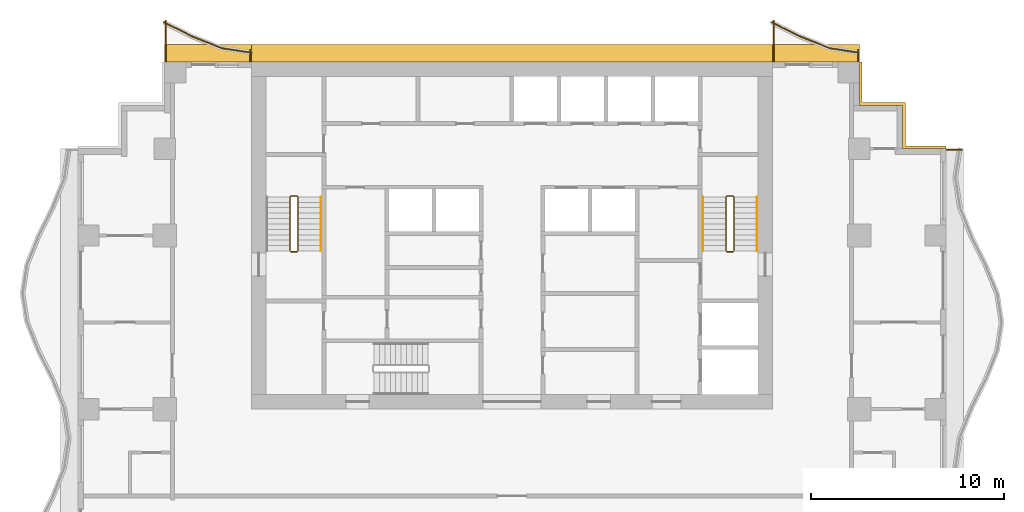
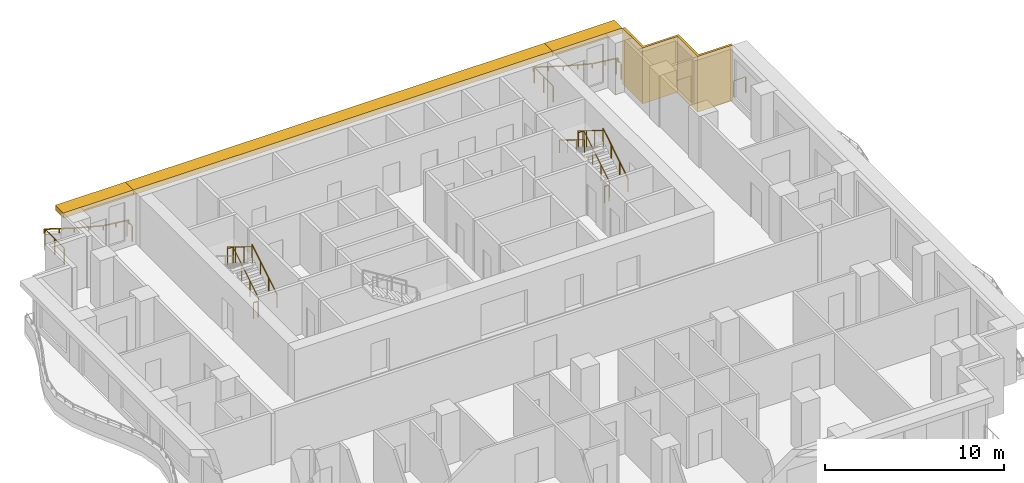
# One storey, part 10 of 10: 14 railings, 4 shading devices.
"""IFC4 building model written with IfcOpenShell, lengths in metres."""

from ifc_helpers import new_model, si_unit, direction, frame, origin, origin_2d, place, context, subcontext, project, spatial, polyline, rectangle, circle, outline, extrude, material, layer, layer_set, type_object, element, save


model = new_model("IFC4")

# Units and contexts
model_context = context("Model", 3, precision=1e-05, world=origin(), true_north=direction((0.0, 1.0)))
body_context = subcontext(model_context, "Body", "Model", "MODEL_VIEW")
ifc_project = project(units=[si_unit("LENGTHUNIT", "METRE"), si_unit("AREAUNIT", "SQUARE_METRE"), si_unit("VOLUMEUNIT", "CUBIC_METRE"), si_unit("PLANEANGLEUNIT", "RADIAN"), si_unit("MASSUNIT", "GRAM", prefix="KILO")], contexts=[model_context])

# Site, building, storey
site_placement = place(None, origin())
site = spatial("IfcSite", under=ifc_project, at=site_placement, CompositionType="ELEMENT")
building_placement = place(site_placement, origin())
building = spatial("IfcBuilding", under=site, at=building_placement, Name="Orbiselva Terraces", CompositionType="ELEMENT")
storey_placement = place(building_placement, frame((0.0, 0.0, 166.8)))
storey = spatial("IfcBuildingStorey", under=building, at=storey_placement, Name="L42", CompositionType="ELEMENT", Elevation=166.8)

# Railings
ifc_material_1 = material(Name="Stainless steel", Category="steel")
railing_type_1 = type_object("IfcRailingType", Name="CORE-GUARD-1100", PredefinedType="GUARDRAIL", material=ifc_material_1)
railing_1_placement = place(storey_placement, frame((-11.1, 12.7, 0.172727)))
element("IfcRailing", 1, at=railing_1_placement, inside=storey, type_object=railing_type_1, Name="L42 S1 stair guard 1", PredefinedType="GUARDRAIL", context=body_context, shape_type="SweptSolid", body=[
    extrude(circle(Radius=0.024, at=origin_2d()), frame((0.0, 0.0, 1.081), z_axis=(0.0, 0.851088519012, 0.52502222125), x_axis=(-1.0, 0.0, 0.0)), (0.0, 0.0, 1.0), 3.289905),
    extrude(circle(Radius=0.024, at=origin_2d()), frame((0.0, 2.8, 2.808273), z_axis=(-0.707106781187, 0.707106781187, 0.0), x_axis=(-0.707106781187, -0.707106781187, 0.0)), (0.0, 0.0, 1.0), 0.070711),
    extrude(circle(Radius=0.024, at=origin_2d()), frame((-0.05, 2.85, 2.808273), z_axis=(-1.0, 0.0, 0.0), x_axis=(0.0, -1.0, 0.0)), (0.0, 0.0, 1.0), 0.3),
    extrude(circle(Radius=0.024, at=origin_2d()), frame((-0.35, 2.85, 2.808273), z_axis=(-0.267894925557, -0.267894925557, 0.925453736133), x_axis=(0.707106781187, -0.707106781187, 0.0)), (0.0, 0.0, 1.0), 0.18664),
    extrude(circle(Radius=0.024, at=origin_2d()), frame((-0.4, 2.8, 2.981), z_axis=(0.0, -0.851088519012, 0.52502222125), x_axis=(1.0, 0.0, 0.0)), (0.0, 0.0, 1.0), 3.289905),
    extrude(circle(Radius=0.021, at=origin_2d()), origin(), (0.0, 0.0, 1.0), 1.057),
    extrude(circle(Radius=0.021, at=origin_2d()), frame((0.0, 0.933333, 0.575758)), (0.0, 0.0, 1.0), 1.057),
    extrude(circle(Radius=0.021, at=origin_2d()), frame((0.0, 1.866667, 1.151515)), (0.0, 0.0, 1.0), 1.057),
    extrude(circle(Radius=0.021, at=origin_2d()), frame((0.0, 2.8, 1.727273)), (0.0, 0.0, 1.0), 1.057),
    extrude(circle(Radius=0.021, at=origin_2d()), frame((-0.05, 2.85, 1.727273)), (0.0, 0.0, 1.0), 1.057),
    extrude(circle(Radius=0.021, at=origin_2d()), frame((-0.35, 2.85, 1.727273)), (0.0, 0.0, 1.0), 1.057),
    extrude(circle(Radius=0.021, at=origin_2d()), frame((-0.4, 2.8, 1.9)), (0.0, 0.0, 1.0), 1.057),
    extrude(circle(Radius=0.021, at=origin_2d()), frame((-0.4, 1.866667, 2.475758)), (0.0, 0.0, 1.0), 1.057),
    extrude(circle(Radius=0.021, at=origin_2d()), frame((-0.4, 0.933333, 3.051515)), (0.0, 0.0, 1.0), 1.057),
    extrude(circle(Radius=0.021, at=origin_2d()), frame((-0.4, 0.0, 3.627273)), (0.0, 0.0, 1.0), 1.057),
])
railing_2_placement = place(storey_placement, frame((-11.15, 12.65, 0.0)))
element("IfcRailing", 2, at=railing_2_placement, inside=storey, type_object=railing_type_1, Name="L42 S1 stair guard 2", PredefinedType="GUARDRAIL", context=body_context, shape_type="SweptSolid", body=[
    extrude(circle(Radius=0.024, at=origin_2d()), frame((0.0, 0.0, 1.081), z_axis=(-1.0, 0.0, 0.0), x_axis=(0.0, -1.0, 0.0)), (0.0, 0.0, 1.0), 0.3),
    extrude(circle(Radius=0.021, at=origin_2d()), origin(), (0.0, 0.0, 1.0), 1.057),
    extrude(circle(Radius=0.021, at=origin_2d()), frame((-0.3, 0.0, 0.0)), (0.0, 0.0, 1.0), 1.057),
])
railing_3_placement = place(storey_placement, frame((11.5, 12.7, 0.172727)))
element("IfcRailing", 3, at=railing_3_placement, inside=storey, type_object=railing_type_1, Name="L42 S2 stair guard 1", PredefinedType="GUARDRAIL", context=body_context, shape_type="SweptSolid", body=[
    extrude(circle(Radius=0.024, at=origin_2d()), frame((0.0, 0.0, 1.081), z_axis=(0.0, 0.851088519012, 0.52502222125), x_axis=(-1.0, 0.0, 0.0)), (0.0, 0.0, 1.0), 3.289905),
    extrude(circle(Radius=0.024, at=origin_2d()), frame((0.0, 2.8, 2.808273), z_axis=(-0.707106781187, 0.707106781187, 0.0), x_axis=(-0.707106781187, -0.707106781187, 0.0)), (0.0, 0.0, 1.0), 0.070711),
    extrude(circle(Radius=0.024, at=origin_2d()), frame((-0.05, 2.85, 2.808273), z_axis=(-1.0, 0.0, 0.0), x_axis=(0.0, -1.0, 0.0)), (0.0, 0.0, 1.0), 0.3),
    extrude(circle(Radius=0.024, at=origin_2d()), frame((-0.35, 2.85, 2.808273), z_axis=(-0.267894925557, -0.267894925557, 0.925453736133), x_axis=(0.707106781187, -0.707106781187, 0.0)), (0.0, 0.0, 1.0), 0.18664),
    extrude(circle(Radius=0.024, at=origin_2d()), frame((-0.4, 2.8, 2.981), z_axis=(0.0, -0.851088519012, 0.52502222125), x_axis=(1.0, 0.0, 0.0)), (0.0, 0.0, 1.0), 3.289905),
    extrude(circle(Radius=0.021, at=origin_2d()), origin(), (0.0, 0.0, 1.0), 1.057),
    extrude(circle(Radius=0.021, at=origin_2d()), frame((0.0, 0.933333, 0.575758)), (0.0, 0.0, 1.0), 1.057),
    extrude(circle(Radius=0.021, at=origin_2d()), frame((0.0, 1.866667, 1.151515)), (0.0, 0.0, 1.0), 1.057),
    extrude(circle(Radius=0.021, at=origin_2d()), frame((0.0, 2.8, 1.727273)), (0.0, 0.0, 1.0), 1.057),
    extrude(circle(Radius=0.021, at=origin_2d()), frame((-0.05, 2.85, 1.727273)), (0.0, 0.0, 1.0), 1.057),
    extrude(circle(Radius=0.021, at=origin_2d()), frame((-0.35, 2.85, 1.727273)), (0.0, 0.0, 1.0), 1.057),
    extrude(circle(Radius=0.021, at=origin_2d()), frame((-0.4, 2.8, 1.9)), (0.0, 0.0, 1.0), 1.057),
    extrude(circle(Radius=0.021, at=origin_2d()), frame((-0.4, 1.866667, 2.475758)), (0.0, 0.0, 1.0), 1.057),
    extrude(circle(Radius=0.021, at=origin_2d()), frame((-0.4, 0.933333, 3.051515)), (0.0, 0.0, 1.0), 1.057),
    extrude(circle(Radius=0.021, at=origin_2d()), frame((-0.4, 0.0, 3.627273)), (0.0, 0.0, 1.0), 1.057),
])
railing_4_placement = place(storey_placement, frame((11.45, 12.65, 0.0)))
element("IfcRailing", 4, at=railing_4_placement, inside=storey, type_object=railing_type_1, Name="L42 S2 stair guard 2", PredefinedType="GUARDRAIL", context=body_context, shape_type="SweptSolid", body=[
    extrude(circle(Radius=0.024, at=origin_2d()), frame((0.0, 0.0, 1.081), z_axis=(-1.0, 0.0, 0.0), x_axis=(0.0, -1.0, 0.0)), (0.0, 0.0, 1.0), 0.3),
    extrude(circle(Radius=0.021, at=origin_2d()), origin(), (0.0, 0.0, 1.0), 1.057),
    extrude(circle(Radius=0.021, at=origin_2d()), frame((-0.3, 0.0, 0.0)), (0.0, 0.0, 1.0), 1.057),
])
railing_type_2 = type_object("IfcRailingType", Name="CORE-HANDRAIL-900", PredefinedType="HANDRAIL", material=ifc_material_1)
for number, where, name in (
    (5, (-9.9, 12.7, 0.172727), "L42 S1 stair handrail 1"),
    (6, (12.7, 12.7, 0.172727), "L42 S2 stair handrail 1"),
):
    element("IfcRailing", number, at=place(storey_placement, frame(where)), inside=storey, type_object=railing_type_2, Name=name, PredefinedType="HANDRAIL", context=body_context, shape_type="SweptSolid", body=[
        extrude(circle(Radius=0.024, at=origin_2d()), frame((0.0, 0.0, 0.876), z_axis=(0.0, 0.851088519012, 0.52502222125), x_axis=(-1.0, 0.0, 0.0)), (0.0, 0.0, 1.0), 3.289905),
        extrude(circle(Radius=0.021, at=origin_2d()), origin(), (0.0, 0.0, 1.0), 0.852),
        extrude(circle(Radius=0.021, at=origin_2d()), frame((0.0, 0.933333, 0.575758)), (0.0, 0.0, 1.0), 0.852),
        extrude(circle(Radius=0.021, at=origin_2d()), frame((0.0, 1.866667, 1.151515)), (0.0, 0.0, 1.0), 0.852),
        extrude(circle(Radius=0.021, at=origin_2d()), frame((0.0, 2.8, 1.727273)), (0.0, 0.0, 1.0), 0.852),
    ])
railing_5_placement = place(storey_placement, frame((9.9, 15.5, 2.072727)))
element("IfcRailing", 7, at=railing_5_placement, inside=storey, type_object=railing_type_2, Name="L42 S2 stair handrail 2", PredefinedType="HANDRAIL", context=body_context, shape_type="SweptSolid", body=[
    extrude(circle(Radius=0.024, at=origin_2d()), frame((0.0, 0.0, 0.876), z_axis=(0.0, -0.851088519012, 0.52502222125), x_axis=(1.0, 0.0, 0.0)), (0.0, 0.0, 1.0), 3.289905),
    extrude(circle(Radius=0.021, at=origin_2d()), origin(), (0.0, 0.0, 1.0), 0.852),
    extrude(circle(Radius=0.021, at=origin_2d()), frame((0.0, -0.933333, 0.575758)), (0.0, 0.0, 1.0), 0.852),
    extrude(circle(Radius=0.021, at=origin_2d()), frame((0.0, -1.866667, 1.151515)), (0.0, 0.0, 1.0), 0.852),
    extrude(circle(Radius=0.021, at=origin_2d()), frame((0.0, -2.8, 1.727273)), (0.0, 0.0, 1.0), 0.852),
])
ifc_material_2 = material(Name="Bonded two-ply safety glass balustrade, stainless steel posts", Category="steel")
railing_type_3 = type_object("IfcRailingType", Name="ENV-BALUSTRADE-1200", PredefinedType="BALUSTRADE", material=ifc_material_2)
railing_6_placement = place(storey_placement, frame((17.981121, 22.976434, 0.9)))
element("IfcRailing", 8, at=railing_6_placement, inside=storey, type_object=railing_type_3, Name="Balcony balustrade L42 NE", PredefinedType="BALUSTRADE", context=body_context, shape_type="SweptSolid", body=[
    extrude(outline(polyline([(0.028868, 0.0), (0.014434, 0.025), (-0.014434, 0.025), (-0.028868, 0.0), (-0.014434, -0.025), (0.014434, -0.025), (0.028868, 0.0)])), frame((0.0, 0.0, 0.275), z_axis=(-0.988528588529, 0.151033869252, 0.0), x_axis=(-0.151033869252, -0.988528588529, 0.0)), (0.0, 0.0, 1.0), 1.531776),
    extrude(outline(polyline([(0.028868, 0.0), (0.014434, 0.025), (-0.014434, 0.025), (-0.028868, 0.0), (-0.014434, -0.025), (0.014434, -0.025), (0.028868, 0.0)])), frame((-1.514204, 0.23135, 0.275), z_axis=(-0.92847681744, 0.371390359967, 0.0), x_axis=(-0.371390359967, -0.92847681744, 0.0)), (0.0, 0.0, 1.0), 1.634838),
    extrude(outline(polyline([(0.028868, 0.0), (0.014434, 0.025), (-0.014434, 0.025), (-0.028868, 0.0), (-0.014434, -0.025), (0.014434, -0.025), (0.028868, 0.0)])), frame((-3.032113, 0.838513, 0.275), z_axis=(-0.896416535525, 0.44321258425, 0.0), x_axis=(-0.44321258425, -0.896416535525, 0.0)), (0.0, 0.0, 1.0), 1.678249),
    extrude(rectangle(XDim=0.05, YDim=0.05, at=origin_2d()), origin(), (0.0, 0.0, 1.0), 0.25),
    extrude(rectangle(XDim=0.05, YDim=0.05, at=origin_2d()), frame((-0.757102, 0.115675, 0.0)), (0.0, 0.0, 1.0), 0.25),
    extrude(rectangle(XDim=0.05, YDim=0.05, at=origin_2d()), frame((-1.514204, 0.23135, 0.0)), (0.0, 0.0, 1.0), 0.25),
    extrude(rectangle(XDim=0.05, YDim=0.05, at=origin_2d()), frame((-2.273159, 0.534931, 0.0)), (0.0, 0.0, 1.0), 0.25),
    extrude(rectangle(XDim=0.05, YDim=0.05, at=origin_2d()), frame((-3.032113, 0.838513, 0.0)), (0.0, 0.0, 1.0), 0.25),
    extrude(rectangle(XDim=0.05, YDim=0.05, at=origin_2d()), frame((-3.784318, 1.210423, 0.0)), (0.0, 0.0, 1.0), 0.25),
    extrude(rectangle(XDim=0.05, YDim=0.05, at=origin_2d()), frame((-4.536523, 1.582334, 0.0)), (0.0, 0.0, 1.0), 0.25),
])
railing_7_placement = place(storey_placement, frame((-13.518879, 22.976434, 0.9)))
element("IfcRailing", 9, at=railing_7_placement, inside=storey, type_object=railing_type_3, Name="Balcony balustrade L42 NW", PredefinedType="BALUSTRADE", context=body_context, shape_type="SweptSolid", body=[
    extrude(outline(polyline([(0.028868, 0.0), (0.014434, 0.025), (-0.014434, 0.025), (-0.028868, 0.0), (-0.014434, -0.025), (0.014434, -0.025), (0.028868, 0.0)])), frame((0.0, 0.0, 0.275), z_axis=(-0.988528588529, 0.151033869252, 0.0), x_axis=(-0.151033869252, -0.988528588529, 0.0)), (0.0, 0.0, 1.0), 1.531776),
    extrude(outline(polyline([(0.028868, 0.0), (0.014434, 0.025), (-0.014434, 0.025), (-0.028868, 0.0), (-0.014434, -0.025), (0.014434, -0.025), (0.028868, 0.0)])), frame((-1.514204, 0.23135, 0.275), z_axis=(-0.92847681744, 0.371390359967, 0.0), x_axis=(-0.371390359967, -0.92847681744, 0.0)), (0.0, 0.0, 1.0), 1.634838),
    extrude(outline(polyline([(0.028868, 0.0), (0.014434, 0.025), (-0.014434, 0.025), (-0.028868, 0.0), (-0.014434, -0.025), (0.014434, -0.025), (0.028868, 0.0)])), frame((-3.032113, 0.838513, 0.275), z_axis=(-0.896416535525, 0.44321258425, 0.0), x_axis=(-0.44321258425, -0.896416535525, 0.0)), (0.0, 0.0, 1.0), 1.678249),
    extrude(rectangle(XDim=0.05, YDim=0.05, at=origin_2d()), origin(), (0.0, 0.0, 1.0), 0.25),
    extrude(rectangle(XDim=0.05, YDim=0.05, at=origin_2d()), frame((-0.757102, 0.115675, 0.0)), (0.0, 0.0, 1.0), 0.25),
    extrude(rectangle(XDim=0.05, YDim=0.05, at=origin_2d()), frame((-1.514204, 0.23135, 0.0)), (0.0, 0.0, 1.0), 0.25),
    extrude(rectangle(XDim=0.05, YDim=0.05, at=origin_2d()), frame((-2.273158, 0.534931, 0.0)), (0.0, 0.0, 1.0), 0.25),
    extrude(rectangle(XDim=0.05, YDim=0.05, at=origin_2d()), frame((-3.032113, 0.838513, 0.0)), (0.0, 0.0, 1.0), 0.25),
    extrude(rectangle(XDim=0.05, YDim=0.05, at=origin_2d()), frame((-3.784318, 1.210423, 0.0)), (0.0, 0.0, 1.0), 0.25),
    extrude(rectangle(XDim=0.05, YDim=0.05, at=origin_2d()), frame((-4.536523, 1.582334, 0.0)), (0.0, 0.0, 1.0), 0.25),
])
ifc_material_3 = material(Name="Stainless steel rail and posts", Category="steel")
railing_type_4 = type_object("IfcRailingType", Name="ENV-GUARD-1105", PredefinedType="BALUSTRADE", material=ifc_material_3)
railing_8_placement = place(storey_placement, frame((23.311761, 17.94, 0.0)))
element("IfcRailing", 10, at=railing_8_placement, inside=storey, type_object=railing_type_4, Name="Balcony end guard L42 E", PredefinedType="BALUSTRADE", context=body_context, shape_type="SweptSolid", body=[
    extrude(outline(polyline([(0.028868, 0.0), (0.014434, 0.025), (-0.014434, 0.025), (-0.028868, 0.0), (-0.014434, -0.025), (0.014434, -0.025), (0.028868, 0.0)])), frame((0.0, 0.0, 1.08), z_axis=(-1.0, 0.0, 0.0), x_axis=(0.0, -1.0, 0.0)), (0.0, 0.0, 1.0), 0.786761),
    extrude(rectangle(XDim=0.05, YDim=0.05, at=origin_2d()), origin(), (0.0, 0.0, 1.0), 1.055),
    extrude(rectangle(XDim=0.05, YDim=0.05, at=origin_2d()), frame((-0.786761, 0.0, 0.0)), (0.0, 0.0, 1.0), 1.055),
])
railing_9_placement = place(storey_placement, frame((17.94, 23.100379, 0.0)))
element("IfcRailing", 11, at=railing_9_placement, inside=storey, type_object=railing_type_4, Name="Balcony end guard L42 NE", PredefinedType="BALUSTRADE", context=body_context, shape_type="SweptSolid", body=[
    extrude(outline(polyline([(0.028868, 0.0), (0.014434, 0.025), (-0.014434, 0.025), (-0.028868, 0.0), (-0.014434, -0.025), (0.014434, -0.025), (0.028868, 0.0)])), frame((0.0, 0.0, 1.08), z_axis=(0.0, -1.0, 0.0), x_axis=(1.0, 0.0, 0.0)), (0.0, 0.0, 1.0), 0.575379),
    extrude(rectangle(XDim=0.05, YDim=0.05, at=origin_2d()), origin(), (0.0, 0.0, 1.0), 1.055),
    extrude(rectangle(XDim=0.05, YDim=0.05, at=origin_2d()), frame((0.0, -0.575379, 0.0)), (0.0, 0.0, 1.0), 1.055),
])
railing_10_placement = place(storey_placement, frame((13.56, 24.642023, 0.0)))
element("IfcRailing", 12, at=railing_10_placement, inside=storey, type_object=railing_type_4, Name="Balcony end guard L42 NE", PredefinedType="BALUSTRADE", context=body_context, shape_type="SweptSolid", body=[
    extrude(outline(polyline([(0.028868, 0.0), (0.014434, 0.025), (-0.014434, 0.025), (-0.028868, 0.0), (-0.014434, -0.025), (0.014434, -0.025), (0.028868, 0.0)])), frame((0.0, 0.0, 1.08), z_axis=(0.0, -1.0, 0.0), x_axis=(1.0, 0.0, 0.0)), (0.0, 0.0, 1.0), 2.117023),
    extrude(rectangle(XDim=0.05, YDim=0.05, at=origin_2d()), origin(), (0.0, 0.0, 1.0), 1.055),
    extrude(rectangle(XDim=0.05, YDim=0.05, at=origin_2d()), frame((0.0, -1.058511, 0.0)), (0.0, 0.0, 1.0), 1.055),
    extrude(rectangle(XDim=0.05, YDim=0.05, at=origin_2d()), frame((0.0, -2.117023, 0.0)), (0.0, 0.0, 1.0), 1.055),
])
railing_11_placement = place(storey_placement, frame((-13.56, 23.100379, 0.0)))
element("IfcRailing", 13, at=railing_11_placement, inside=storey, type_object=railing_type_4, Name="Balcony end guard L42 NW", PredefinedType="BALUSTRADE", context=body_context, shape_type="SweptSolid", body=[
    extrude(outline(polyline([(0.028868, 0.0), (0.014434, 0.025), (-0.014434, 0.025), (-0.028868, 0.0), (-0.014434, -0.025), (0.014434, -0.025), (0.028868, 0.0)])), frame((0.0, 0.0, 1.08), z_axis=(0.0, -1.0, 0.0), x_axis=(1.0, 0.0, 0.0)), (0.0, 0.0, 1.0), 0.575379),
    extrude(rectangle(XDim=0.05, YDim=0.05, at=origin_2d()), origin(), (0.0, 0.0, 1.0), 1.055),
    extrude(rectangle(XDim=0.05, YDim=0.05, at=origin_2d()), frame((0.0, -0.575379, 0.0)), (0.0, 0.0, 1.0), 1.055),
])
railing_12_placement = place(storey_placement, frame((-17.94, 24.642023, 0.0)))
element("IfcRailing", 14, at=railing_12_placement, inside=storey, type_object=railing_type_4, Name="Balcony end guard L42 NW", PredefinedType="BALUSTRADE", context=body_context, shape_type="SweptSolid", body=[
    extrude(outline(polyline([(0.028868, 0.0), (0.014434, 0.025), (-0.014434, 0.025), (-0.028868, 0.0), (-0.014434, -0.025), (0.014434, -0.025), (0.028868, 0.0)])), frame((0.0, 0.0, 1.08), z_axis=(0.0, -1.0, 0.0), x_axis=(1.0, 0.0, 0.0)), (0.0, 0.0, 1.0), 2.117023),
    extrude(rectangle(XDim=0.05, YDim=0.05, at=origin_2d()), origin(), (0.0, 0.0, 1.0), 1.055),
    extrude(rectangle(XDim=0.05, YDim=0.05, at=origin_2d()), frame((0.0, -1.058511, 0.0)), (0.0, 0.0, 1.0), 1.055),
    extrude(rectangle(XDim=0.05, YDim=0.05, at=origin_2d()), frame((0.0, -2.117023, 0.0)), (0.0, 0.0, 1.0), 1.055),
])

# Shading devices
ifc_material_4 = material(Name="Terracotta louvre screen", Category="masonry")
ifc_layer_1 = layer(ifc_material_4, 0.15)
ifc_layer_set_1 = layer_set([ifc_layer_1], Name="Terracotta louvre screen")
shading_device_type_1 = type_object("IfcShadingDeviceType", Name="ENV-SCREEN-150", PredefinedType="USERDEFINED", material=ifc_layer_set_1)
shading_device_1_placement = place(storey_placement, frame((0.0, 0.0, -0.3)))
element("IfcShadingDevice", 15, at=shading_device_1_placement, inside=storey, type_object=shading_device_type_1, Name="Louvre screen L42 NE", ObjectType="SCREEN", PredefinedType="USERDEFINED", context=body_context, shape_type="SweptSolid", body=[
    extrude(outline(polyline([(22.5, 18.15), (20.4, 18.15), (20.4, 20.4), (18.15, 20.4), (18.15, 22.5), (18.0, 22.5), (18.0, 20.25), (20.25, 20.25), (20.25, 18.0), (22.5, 18.0), (22.5, 18.15)])), origin(), (0.0, 0.0, 1.0), 3.8),
])
ifc_material_5 = material(Name="Terracotta baguette sunshade", Category="masonry")
ifc_layer_2 = layer(ifc_material_5, 0.35)
ifc_layer_set_2 = layer_set([ifc_layer_2], Name="Terracotta baguette sunshade")
shading_device_type_2 = type_object("IfcShadingDeviceType", Name="ENV-SUNSHADE-900x350", PredefinedType="USERDEFINED", material=ifc_layer_set_2)
shading_device_2_placement = place(storey_placement, frame((0.0, 0.0, 3.15)))
element("IfcShadingDevice", 16, at=shading_device_2_placement, inside=storey, type_object=shading_device_type_2, Name="Sunshade band L42 NE", ObjectType="SUNSHADE", PredefinedType="USERDEFINED", context=body_context, shape_type="SweptSolid", body=[
    extrude(outline(polyline([(18.0, 23.4), (13.5, 23.4), (13.5, 22.5), (18.0, 22.5), (18.0, 23.4)])), origin(), (0.0, 0.0, 1.0), 0.35),
])
shading_device_3_placement = place(storey_placement, frame((0.0, 0.0, 3.15)))
element("IfcShadingDevice", 17, at=shading_device_3_placement, inside=storey, type_object=shading_device_type_2, Name="Sunshade band L42 CORE NORTH", ObjectType="SUNSHADE", PredefinedType="USERDEFINED", context=body_context, shape_type="SweptSolid", body=[
    extrude(outline(polyline([(13.5, 23.4), (-13.5, 23.4), (-13.5, 22.5), (13.5, 22.5), (13.5, 23.4)])), origin(), (0.0, 0.0, 1.0), 0.35),
])
shading_device_4_placement = place(storey_placement, frame((0.0, 0.0, 3.15)))
element("IfcShadingDevice", 18, at=shading_device_4_placement, inside=storey, type_object=shading_device_type_2, Name="Sunshade band L42 NW", ObjectType="SUNSHADE", PredefinedType="USERDEFINED", context=body_context, shape_type="SweptSolid", body=[
    extrude(outline(polyline([(-13.5, 23.4), (-18.0, 23.4), (-18.0, 22.5), (-13.5, 22.5), (-13.5, 23.4)])), origin(), (0.0, 0.0, 1.0), 0.35),
])

save(model, "model.ifc")
